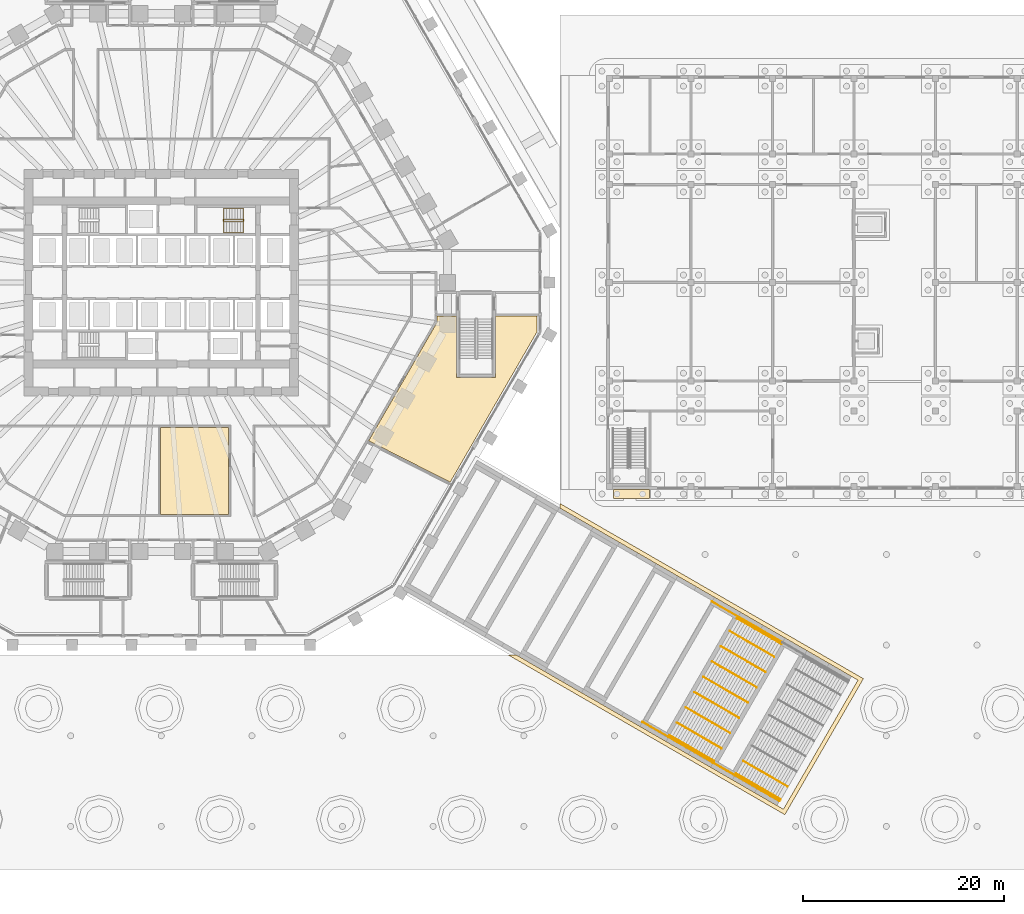
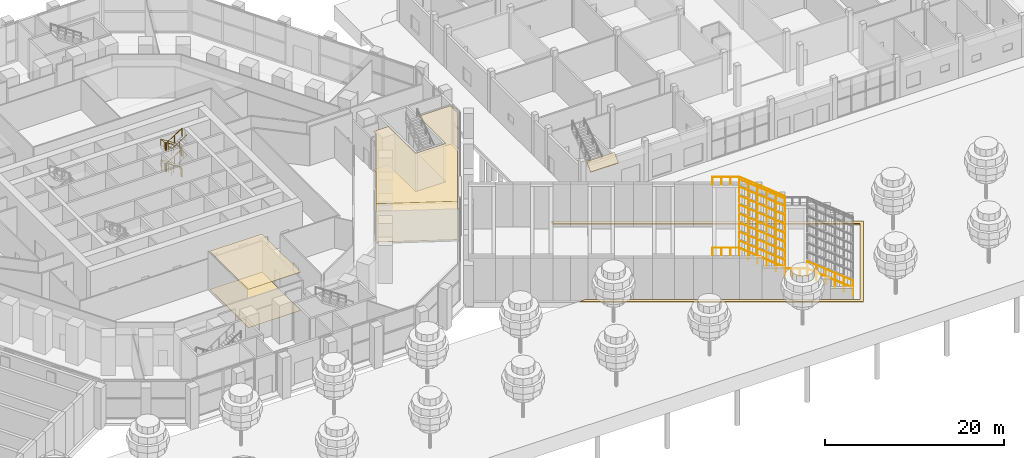
# One storey, part 35 of 44: 19 railings, 6 coverings.
"""IFC4 building model written with IfcOpenShell, lengths in metres."""

from ifc_helpers import new_model, si_unit, direction, frame, origin, origin_2d, place, context, subcontext, project, spatial, polyline, circle, outline, extrude, material, layer, layer_set, type_object, element, save


model = new_model("IFC4")

# Units and contexts
model_context = context("Model", 3, precision=1e-05, world=origin(), true_north=direction((0.0, 1.0)))
body_context = subcontext(model_context, "Body", "Model", "MODEL_VIEW")
ifc_project = project(units=[si_unit("LENGTHUNIT", "METRE"), si_unit("AREAUNIT", "SQUARE_METRE"), si_unit("VOLUMEUNIT", "CUBIC_METRE"), si_unit("PLANEANGLEUNIT", "RADIAN"), si_unit("MASSUNIT", "GRAM", prefix="KILO")], contexts=[model_context])

# Site, building, storey
site_placement = place(None, origin())
site = spatial("IfcSite", under=ifc_project, at=site_placement, CompositionType="ELEMENT")
building_placement = place(site_placement, origin())
building = spatial("IfcBuilding", under=site, at=building_placement, Name="Frailejon Research Tower", CompositionType="ELEMENT")
storey_placement = place(building_placement, origin())
storey = spatial("IfcBuildingStorey", under=building, at=storey_placement, Name="L00", CompositionType="ELEMENT", Elevation=0.0)

# Railings
ifc_material_1 = material(Name="Galvanised steel balustrade", Category="steel")
railing_type_1 = type_object("IfcRailingType", Name="Broad stair guard 1100", PredefinedType="GUARDRAIL", material=ifc_material_1)
railing_1_placement = place(storey_placement, frame((47.78271484375, -43.6376953125, 5.60009765625)))
element("IfcRailing", 1, at=railing_1_placement, inside=storey, type_object=railing_type_1, Name="Broad stair E1 landing guard", PredefinedType="GUARDRAIL", context=body_context, shape_type="SweptSolid", body=[
    extrude(circle(Radius=0.02392578125, at=origin_2d()), frame((0.0, 0.0, 1.076171875), z_axis=(0.866031096941, -0.499990139034, 0.0), x_axis=(0.499990139034, 0.866031096941, 0.0)), (0.0, 0.0, 1.0), 3.0),
    extrude(circle(Radius=0.02099609375, at=origin_2d()), origin(), (0.0, 0.0, 1.0), 1.052001953125),
    extrude(circle(Radius=0.02099609375, at=origin_2d()), frame((0.865966796875, -0.5, 0.0)), (0.0, 0.0, 1.0), 1.052001953125),
    extrude(circle(Radius=0.02099609375, at=origin_2d()), frame((1.732177734375, -1.0, 0.0)), (0.0, 0.0, 1.0), 1.052001953125),
    extrude(circle(Radius=0.02099609375, at=origin_2d()), frame((2.59814453125, -1.5, 0.0)), (0.0, 0.0, 1.0), 1.052001953125),
])
railing_2_placement = place(storey_placement, frame((54.797607421875, -47.687744140625, 2.800048828125)))
element("IfcRailing", 2, at=railing_2_placement, inside=storey, type_object=railing_type_1, Name="Broad stair E1 landing guard", PredefinedType="GUARDRAIL", context=body_context, shape_type="SweptSolid", body=[
    extrude(circle(Radius=0.02392578125, at=origin_2d()), frame((0.0, 0.0, 1.076171875), z_axis=(0.866022959057, -0.500004234368, 0.0), x_axis=(0.500004234368, 0.866022959057, 0.0)), (0.0, 0.0, 1.0), 2.5),
    extrude(circle(Radius=0.02099609375, at=origin_2d()), origin(), (0.0, 0.0, 1.0), 1.052001953125),
    extrude(circle(Radius=0.02099609375, at=origin_2d()), frame((0.7216796875, -0.416748046875, 0.0)), (0.0, 0.0, 1.0), 1.052001953125),
    extrude(circle(Radius=0.02099609375, at=origin_2d()), frame((1.443359375, -0.833251953125, 0.0)), (0.0, 0.0, 1.0), 1.052001953125),
    extrude(circle(Radius=0.02099609375, at=origin_2d()), frame((2.1650390625, -1.25, 0.0)), (0.0, 0.0, 1.0), 1.052001953125),
])
railing_3_placement = place(storey_placement, frame((54.682861328125, -31.6865234375, 5.60009765625)))
element("IfcRailing", 3, at=railing_3_placement, inside=storey, type_object=railing_type_1, Name="Broad stair E1 landing guard", PredefinedType="GUARDRAIL", context=body_context, shape_type="SweptSolid", body=[
    extrude(circle(Radius=0.02392578125, at=origin_2d()), frame((0.0, 0.0, 1.076171875), z_axis=(0.866031096941, -0.499990139034, 0.0), x_axis=(0.499990139034, 0.866031096941, 0.0)), (0.0, 0.0, 1.0), 3.0),
    extrude(circle(Radius=0.02099609375, at=origin_2d()), origin(), (0.0, 0.0, 1.0), 1.052001953125),
    extrude(circle(Radius=0.02099609375, at=origin_2d()), frame((0.865966796875, -0.5, 0.0)), (0.0, 0.0, 1.0), 1.052001953125),
    extrude(circle(Radius=0.02099609375, at=origin_2d()), frame((1.732177734375, -1.0, 0.0)), (0.0, 0.0, 1.0), 1.052001953125),
    extrude(circle(Radius=0.02099609375, at=origin_2d()), frame((2.59814453125, -1.5, 0.0)), (0.0, 0.0, 1.0), 1.052001953125),
])
for number, where, name in (
    (4, (54.797607421875, -47.687744140625, 2.95556640625), "Broad stair E1 flight guard"),
    (5, (61.37939453125, -51.48779296875, 0.155517578125), "Broad stair E1 flight guard"),
):
    element("IfcRailing", number, at=place(storey_placement, frame(where)), inside=storey, type_object=railing_type_1, Name=name, PredefinedType="GUARDRAIL", context=body_context, shape_type="SweptSolid", body=[
        extrude(circle(Radius=0.02392578125, at=origin_2d()), frame((0.0, 0.0, 1.076171875), z_axis=(-0.768811044506, 0.443879904918, 0.46032619723), x_axis=(-0.500005610874, -0.86602216432, 0.0)), (0.0, 0.0, 1.0), 5.744873046875),
        extrude(circle(Radius=0.02099609375, at=origin_2d()), origin(), (0.0, 0.0, 1.0), 1.052001953125),
        extrude(circle(Radius=0.02099609375, at=origin_2d()), frame((-0.88330078125, 0.510009765625, 0.52880859375)), (0.0, 0.0, 1.0), 1.052001953125),
        extrude(circle(Radius=0.02099609375, at=origin_2d()), frame((-1.7666015625, 1.02001953125, 1.057861328125)), (0.0, 0.0, 1.0), 1.052001953125),
        extrude(circle(Radius=0.02099609375, at=origin_2d()), frame((-2.650146484375, 1.530029296875, 1.586669921875)), (0.0, 0.0, 1.0), 1.052001953125),
        extrude(circle(Radius=0.02099609375, at=origin_2d()), frame((-3.533447265625, 2.0400390625, 2.11572265625)), (0.0, 0.0, 1.0), 1.052001953125),
        extrude(circle(Radius=0.02099609375, at=origin_2d()), frame((-4.416748046875, 2.550048828125, 2.64453125)), (0.0, 0.0, 1.0), 1.052001953125),
    ])
railing_4_placement = place(storey_placement, frame((61.697509765625, -35.736572265625, 2.95556640625)))
element("IfcRailing", 6, at=railing_4_placement, inside=storey, type_object=railing_type_1, Name="Broad stair E1 flight guard", PredefinedType="GUARDRAIL", context=body_context, shape_type="SweptSolid", body=[
    extrude(circle(Radius=0.02392578125, at=origin_2d()), frame((0.0, 0.0, 1.076171875), z_axis=(-0.768793665423, 0.443894407703, 0.460341237361), x_axis=(-0.500026340207, -0.866010195725, 0.0)), (0.0, 0.0, 1.0), 5.74462890625),
    extrude(circle(Radius=0.02099609375, at=origin_2d()), origin(), (0.0, 0.0, 1.0), 1.052001953125),
    extrude(circle(Radius=0.02099609375, at=origin_2d()), frame((-0.88330078125, 0.510009765625, 0.52880859375)), (0.0, 0.0, 1.0), 1.052001953125),
    extrude(circle(Radius=0.02099609375, at=origin_2d()), frame((-1.7666015625, 1.02001953125, 1.057861328125)), (0.0, 0.0, 1.0), 1.052001953125),
    extrude(circle(Radius=0.02099609375, at=origin_2d()), frame((-2.64990234375, 1.530029296875, 1.586669921875)), (0.0, 0.0, 1.0), 1.052001953125),
    extrude(circle(Radius=0.02099609375, at=origin_2d()), frame((-3.533203125, 2.0400390625, 2.11572265625)), (0.0, 0.0, 1.0), 1.052001953125),
    extrude(circle(Radius=0.02099609375, at=origin_2d()), frame((-4.41650390625, 2.550048828125, 2.64453125)), (0.0, 0.0, 1.0), 1.052001953125),
])
ifc_material_2 = material(Name="Stainless steel handrail", Category="steel")
railing_type_2 = type_object("IfcRailingType", Name="Broad stair handrail", PredefinedType="HANDRAIL", material=ifc_material_2)
railing_5_placement = place(storey_placement, frame((54.897705078125, -47.514404296875, 2.95556640625)))
element("IfcRailing", 7, at=railing_5_placement, inside=storey, type_object=railing_type_2, Name="Broad stair E1 flight handrail", PredefinedType="HANDRAIL", context=body_context, shape_type="SweptSolid", body=[
    extrude(circle(Radius=0.02392578125, at=origin_2d()), frame((0.0, 0.0, 0.8759765625), z_axis=(-0.768825546697, 0.443845780206, 0.460334880428), x_axis=(-0.499969707105, -0.866042892689, 0.0)), (0.0, 0.0, 1.0), 5.744873046875),
    extrude(circle(Radius=0.02099609375, at=origin_2d()), origin(), (0.0, 0.0, 1.0), 0.851806640625),
    extrude(circle(Radius=0.02099609375, at=origin_2d()), frame((-0.88330078125, 0.510009765625, 0.52880859375)), (0.0, 0.0, 1.0), 0.851806640625),
    extrude(circle(Radius=0.02099609375, at=origin_2d()), frame((-1.7666015625, 1.02001953125, 1.057861328125)), (0.0, 0.0, 1.0), 0.851806640625),
    extrude(circle(Radius=0.02099609375, at=origin_2d()), frame((-2.650146484375, 1.52978515625, 1.586669921875)), (0.0, 0.0, 1.0), 0.851806640625),
    extrude(circle(Radius=0.02099609375, at=origin_2d()), frame((-3.533447265625, 2.039794921875, 2.11572265625)), (0.0, 0.0, 1.0), 0.851806640625),
    extrude(circle(Radius=0.02099609375, at=origin_2d()), frame((-4.416748046875, 2.5498046875, 2.64453125)), (0.0, 0.0, 1.0), 0.851806640625),
])
for number, where, name in (
    (8, (61.4794921875, -51.314453125, 0.155517578125), "Broad stair E1 flight handrail"),
    (9, (55.62255859375, -46.2587890625, 2.95556640625), "Broad stair E1 flight handrail"),
    (10, (62.204345703125, -50.058837890625, 0.155517578125), "Broad stair E1 flight handrail"),
    (11, (56.49755859375, -44.743408203125, 2.95556640625), "Broad stair E1 flight handrail"),
    (12, (57.37255859375, -43.227783203125, 2.95556640625), "Broad stair E1 flight handrail"),
    (13, (58.24755859375, -41.712158203125, 2.95556640625), "Broad stair E1 flight handrail"),
    (14, (59.12255859375, -40.196533203125, 2.95556640625), "Broad stair E1 flight handrail"),
    (15, (59.99755859375, -38.68115234375, 2.95556640625), "Broad stair E1 flight handrail"),
    (16, (60.87255859375, -37.16552734375, 2.95556640625), "Broad stair E1 flight handrail"),
    (17, (61.59765625, -35.909912109375, 2.95556640625), "Broad stair E1 flight handrail"),
):
    element("IfcRailing", number, at=place(storey_placement, frame(where)), inside=storey, type_object=railing_type_2, Name=name, PredefinedType="HANDRAIL", context=body_context, shape_type="SweptSolid", body=[
        extrude(circle(Radius=0.02392578125, at=origin_2d()), frame((0.0, 0.0, 0.8759765625), z_axis=(-0.768811044506, 0.443879904918, 0.46032619723), x_axis=(-0.500005610874, -0.86602216432, 0.0)), (0.0, 0.0, 1.0), 5.744873046875),
        extrude(circle(Radius=0.02099609375, at=origin_2d()), origin(), (0.0, 0.0, 1.0), 0.851806640625),
        extrude(circle(Radius=0.02099609375, at=origin_2d()), frame((-0.88330078125, 0.510009765625, 0.52880859375)), (0.0, 0.0, 1.0), 0.851806640625),
        extrude(circle(Radius=0.02099609375, at=origin_2d()), frame((-1.7666015625, 1.02001953125, 1.057861328125)), (0.0, 0.0, 1.0), 0.851806640625),
        extrude(circle(Radius=0.02099609375, at=origin_2d()), frame((-2.650146484375, 1.530029296875, 1.586669921875)), (0.0, 0.0, 1.0), 0.851806640625),
        extrude(circle(Radius=0.02099609375, at=origin_2d()), frame((-3.533447265625, 2.0400390625, 2.11572265625)), (0.0, 0.0, 1.0), 0.851806640625),
        extrude(circle(Radius=0.02099609375, at=origin_2d()), frame((-4.416748046875, 2.550048828125, 2.64453125)), (0.0, 0.0, 1.0), 0.851806640625),
    ])

# Coverings
ifc_material_3 = material(Name="Precast concrete C50/60", Category="concrete")
ifc_layer_1 = layer(ifc_material_3, 0.06005859375)
ifc_layer_set_1 = layer_set([ifc_layer_1], Name="HC visor depth 900")
covering_type_1 = type_object("IfcCoveringType", Name="HC visor depth 900", PredefinedType="CLADDING", material=ifc_layer_set_1)
covering_1_placement = place(storey_placement, frame((48.5, -20.550048828125, 5.449951171875), z_axis=(-1.0, 0.0, 0.0), x_axis=(0.0, -1.0, 0.0)))
element("IfcCovering", 18, at=covering_1_placement, inside=storey, type_object=covering_type_1, Name="HC visor L00", PredefinedType="CLADDING", context=body_context, shape_type="SweptSolid", body=[
    extrude(outline(polyline([(0.0, -0.0849609375), (0.89990234375, -0.98486328125), (0.89990234375, -0.89990234375), (0.0, 0.0), (0.0, -0.0849609375)])), origin(), (0.0, 0.0, 1.0), 3.60009765625),
])
ifc_material_4 = material(Name="Precast concrete paving C30/37", Category="concrete")
ifc_layer_2 = layer(ifc_material_4, 0.25)
ifc_layer_set_2 = layer_set([ifc_layer_2], Name="Stair foot paving 250")
covering_type_2 = type_object("IfcCoveringType", Name="Stair foot paving 250", PredefinedType="FLOORING", material=ifc_layer_set_2)
covering_2_placement = place(storey_placement, frame((0.0, 0.0, -0.25)))
element("IfcCovering", 19, at=covering_2_placement, inside=storey, type_object=covering_type_2, Name="Stair foot paving", PredefinedType="FLOORING", context=body_context, shape_type="SweptSolid", body=[
    extrude(outline(polyline([(61.92529296875, -52.84228515625), (34.48583984375, -37.0), (35.285888671875, -37.0), (61.77880859375, -52.2958984375), (69.178955078125, -39.478515625), (39.569091796875, -22.38330078125), (39.569091796875, -21.921630859375), (69.725341796875, -39.332275390625), (61.92529296875, -52.84228515625)])), origin(), (0.0, 0.0, 1.0), 0.25),
])

# Railings
ifc_material_5 = material(Name="Stainless steel", Category="steel")
railing_type_3 = type_object("IfcRailingType", Name="Stair guard 1100", PredefinedType="GUARDRAIL", material=ifc_material_5)
railing_6_placement = place(storey_placement, frame((8.199951171875, 6.10009765625, 0.0)))
element("IfcRailing", 20, at=railing_6_placement, inside=storey, type_object=railing_type_3, Name="L00 ST3 stair guard 1", PredefinedType="GUARDRAIL", context=body_context, shape_type="SweptSolid", body=[
    extrude(circle(Radius=0.02392578125, at=origin_2d()), frame((0.0, 0.0, 1.076171875), z_axis=(0.0, 1.0, 0.0), x_axis=(-1.0, 0.0, 0.0)), (0.0, 0.0, 1.0), 0.14990234375),
    extrude(circle(Radius=0.02392578125, at=origin_2d()), frame((0.0, 0.14990234375, 1.076171875), z_axis=(-0.265065253269, 0.265065253269, 0.927081885822), x_axis=(-0.707106781187, -0.707106781187, 0.0)), (0.0, 0.0, 1.0), 0.188720703125),
    extrude(circle(Radius=0.02392578125, at=origin_2d()), frame((-0.050048828125, 0.199951171875, 1.2509765625), z_axis=(-0.848022040916, 0.0, 0.529960959053), x_axis=(0.0, -1.0, 0.0)), (0.0, 0.0, 1.0), 2.311279296875),
    extrude(circle(Radius=0.02392578125, at=origin_2d()), frame((-2.010009765625, 0.199951171875, 2.47607421875), z_axis=(-0.707106781187, -0.707106781187, 0.0), x_axis=(0.707106781187, -0.707106781187, 0.0)), (0.0, 0.0, 1.0), 0.07080078125),
    extrude(circle(Radius=0.02392578125, at=origin_2d()), frame((-2.06005859375, 0.14990234375, 2.47607421875), z_axis=(0.0, -1.0, 0.0), x_axis=(1.0, 0.0, 0.0)), (0.0, 0.0, 1.0), 0.14990234375),
    extrude(circle(Radius=0.02392578125, at=origin_2d()), frame((-2.06005859375, 0.0, 2.47607421875), z_axis=(0.265065253269, -0.265065253269, 0.927081885822), x_axis=(0.707106781187, 0.707106781187, 0.0)), (0.0, 0.0, 1.0), 0.188720703125),
    extrude(circle(Radius=0.02392578125, at=origin_2d()), frame((-2.010009765625, -0.050048828125, 2.65087890625), z_axis=(0.847974566722, 0.0, 0.530036917764), x_axis=(0.0, 1.0, 0.0)), (0.0, 0.0, 1.0), 2.311279296875),
    extrude(circle(Radius=0.02392578125, at=origin_2d()), frame((-0.050048828125, -0.050048828125, 3.8759765625), z_axis=(0.707106781187, 0.707106781187, 0.0), x_axis=(-0.707106781187, 0.707106781187, 0.0)), (0.0, 0.0, 1.0), 0.07080078125),
    extrude(circle(Radius=0.02392578125, at=origin_2d()), frame((0.0, 0.0, 3.8759765625), z_axis=(0.0, 1.0, 0.0), x_axis=(-1.0, 0.0, 0.0)), (0.0, 0.0, 1.0), 0.14990234375),
    extrude(circle(Radius=0.02392578125, at=origin_2d()), frame((0.0, 0.14990234375, 3.8759765625), z_axis=(-0.265065253269, 0.265065253269, 0.927081885822), x_axis=(-0.707106781187, -0.707106781187, 0.0)), (0.0, 0.0, 1.0), 0.188720703125),
    extrude(circle(Radius=0.02392578125, at=origin_2d()), frame((-0.050048828125, 0.199951171875, 4.05126953125), z_axis=(-0.848022040916, 0.0, 0.529960959053), x_axis=(0.0, -1.0, 0.0)), (0.0, 0.0, 1.0), 2.311279296875),
    extrude(circle(Radius=0.02392578125, at=origin_2d()), frame((-2.010009765625, 0.199951171875, 5.27587890625), z_axis=(-0.707106781187, -0.707106781187, 0.0), x_axis=(0.707106781187, -0.707106781187, 0.0)), (0.0, 0.0, 1.0), 0.07080078125),
    extrude(circle(Radius=0.02392578125, at=origin_2d()), frame((-2.06005859375, 0.14990234375, 5.27587890625), z_axis=(0.0, -1.0, 0.0), x_axis=(1.0, 0.0, 0.0)), (0.0, 0.0, 1.0), 0.14990234375),
    extrude(circle(Radius=0.02392578125, at=origin_2d()), frame((-2.06005859375, 0.0, 5.27587890625), z_axis=(0.265065253269, -0.265065253269, 0.927081885822), x_axis=(0.707106781187, 0.707106781187, 0.0)), (0.0, 0.0, 1.0), 0.188720703125),
    extrude(circle(Radius=0.02392578125, at=origin_2d()), frame((-2.010009765625, -0.050048828125, 5.451171875), z_axis=(0.847974566722, 0.0, 0.530036917764), x_axis=(0.0, 1.0, 0.0)), (0.0, 0.0, 1.0), 2.311279296875),
    extrude(circle(Radius=0.02099609375, at=origin_2d()), origin(), (0.0, 0.0, 1.0), 1.052001953125),
    extrude(circle(Radius=0.02099609375, at=origin_2d()), frame((0.0, 0.14990234375, 0.0)), (0.0, 0.0, 1.0), 1.052001953125),
    extrude(circle(Radius=0.02099609375, at=origin_2d()), frame((-0.050048828125, 0.199951171875, 0.175048828125)), (0.0, 0.0, 1.0), 1.052001953125),
    extrude(circle(Radius=0.02099609375, at=origin_2d()), frame((-1.030029296875, 0.199951171875, 0.78759765625)), (0.0, 0.0, 1.0), 1.052001953125),
    extrude(circle(Radius=0.02099609375, at=origin_2d()), frame((-2.010009765625, 0.199951171875, 1.39990234375)), (0.0, 0.0, 1.0), 1.052001953125),
    extrude(circle(Radius=0.02099609375, at=origin_2d()), frame((-2.06005859375, 0.14990234375, 1.39990234375)), (0.0, 0.0, 1.0), 1.052001953125),
    extrude(circle(Radius=0.02099609375, at=origin_2d()), frame((-2.06005859375, 0.0, 1.39990234375)), (0.0, 0.0, 1.0), 1.052001953125),
    extrude(circle(Radius=0.02099609375, at=origin_2d()), frame((-2.010009765625, -0.050048828125, 1.574951171875)), (0.0, 0.0, 1.0), 1.052001953125),
    extrude(circle(Radius=0.02099609375, at=origin_2d()), frame((-1.030029296875, -0.050048828125, 2.1875)), (0.0, 0.0, 1.0), 1.052001953125),
    extrude(circle(Radius=0.02099609375, at=origin_2d()), frame((-0.050048828125, -0.050048828125, 2.800048828125)), (0.0, 0.0, 1.0), 1.052001953125),
    extrude(circle(Radius=0.02099609375, at=origin_2d()), frame((0.0, 0.0, 2.800048828125)), (0.0, 0.0, 1.0), 1.052001953125),
    extrude(circle(Radius=0.02099609375, at=origin_2d()), frame((0.0, 0.14990234375, 2.800048828125)), (0.0, 0.0, 1.0), 1.052001953125),
    extrude(circle(Radius=0.02099609375, at=origin_2d()), frame((-0.050048828125, 0.199951171875, 2.97509765625)), (0.0, 0.0, 1.0), 1.052001953125),
    extrude(circle(Radius=0.02099609375, at=origin_2d()), frame((-1.030029296875, 0.199951171875, 3.58740234375)), (0.0, 0.0, 1.0), 1.052001953125),
    extrude(circle(Radius=0.02099609375, at=origin_2d()), frame((-2.010009765625, 0.199951171875, 4.199951171875)), (0.0, 0.0, 1.0), 1.052001953125),
    extrude(circle(Radius=0.02099609375, at=origin_2d()), frame((-2.06005859375, 0.14990234375, 4.199951171875)), (0.0, 0.0, 1.0), 1.052001953125),
    extrude(circle(Radius=0.02099609375, at=origin_2d()), frame((-2.06005859375, 0.0, 4.199951171875)), (0.0, 0.0, 1.0), 1.052001953125),
    extrude(circle(Radius=0.02099609375, at=origin_2d()), frame((-2.010009765625, -0.050048828125, 4.375)), (0.0, 0.0, 1.0), 1.052001953125),
    extrude(circle(Radius=0.02099609375, at=origin_2d()), frame((-1.030029296875, -0.050048828125, 4.987548828125)), (0.0, 0.0, 1.0), 1.052001953125),
    extrude(circle(Radius=0.02099609375, at=origin_2d()), frame((-0.050048828125, -0.050048828125, 5.60009765625)), (0.0, 0.0, 1.0), 1.052001953125),
])
ifc_material_6 = material(Name="Stainless steel", Category="steel")
railing_type_4 = type_object("IfcRailingType", Name="Stair handrail 900", PredefinedType="HANDRAIL", material=ifc_material_6)
railing_7_placement = place(storey_placement, frame((8.14990234375, 7.39990234375, 0.175048828125)))
element("IfcRailing", 21, at=railing_7_placement, inside=storey, type_object=railing_type_4, Name="L00 ST3 stair handrail 1", PredefinedType="HANDRAIL", context=body_context, shape_type="SweptSolid", body=[
    extrude(circle(Radius=0.02392578125, at=origin_2d()), frame((0.0, 0.0, 0.8759765625), z_axis=(-0.848022040916, 0.0, 0.529960959053), x_axis=(0.0, -1.0, 0.0)), (0.0, 0.0, 1.0), 2.311279296875),
    extrude(circle(Radius=0.02392578125, at=origin_2d()), frame((-1.9599609375, 0.0, 2.1005859375), z_axis=(0.0, -0.997457185933, 0.071268241387), x_axis=(1.0, 0.0, 0.0)), (0.0, 0.0, 1.0), 2.456298828125),
    extrude(circle(Radius=0.02392578125, at=origin_2d()), frame((-1.9599609375, -2.449951171875, 2.27587890625), z_axis=(0.847974566722, 0.0, 0.530036917764), x_axis=(0.0, 1.0, 0.0)), (0.0, 0.0, 1.0), 2.311279296875),
    extrude(circle(Radius=0.02392578125, at=origin_2d()), frame((0.0, -2.449951171875, 3.5009765625), z_axis=(0.0, 0.997457185933, 0.071268241387), x_axis=(-1.0, 0.0, 0.0)), (0.0, 0.0, 1.0), 2.456298828125),
    extrude(circle(Radius=0.02392578125, at=origin_2d()), frame((0.0, 0.0, 3.67578125), z_axis=(-0.848022040916, 0.0, 0.529960959053), x_axis=(0.0, -1.0, 0.0)), (0.0, 0.0, 1.0), 2.311279296875),
    extrude(circle(Radius=0.02392578125, at=origin_2d()), frame((-1.9599609375, 0.0, 4.90087890625), z_axis=(0.0, -0.997457185933, 0.071268241387), x_axis=(1.0, 0.0, 0.0)), (0.0, 0.0, 1.0), 2.456298828125),
    extrude(circle(Radius=0.02392578125, at=origin_2d()), frame((-1.9599609375, -2.449951171875, 5.07568359375), z_axis=(0.847974566722, 0.0, 0.530036917764), x_axis=(0.0, 1.0, 0.0)), (0.0, 0.0, 1.0), 2.311279296875),
    extrude(circle(Radius=0.02099609375, at=origin_2d()), origin(), (0.0, 0.0, 1.0), 0.851806640625),
    extrude(circle(Radius=0.02099609375, at=origin_2d()), frame((-0.97998046875, 0.0, 0.6123046875)), (0.0, 0.0, 1.0), 0.851806640625),
    extrude(circle(Radius=0.02099609375, at=origin_2d()), frame((-1.9599609375, 0.0, 1.224853515625)), (0.0, 0.0, 1.0), 0.851806640625),
    extrude(circle(Radius=0.02099609375, at=origin_2d()), frame((-1.9599609375, -0.816650390625, 1.283203125)), (0.0, 0.0, 1.0), 0.851806640625),
    extrude(circle(Radius=0.02099609375, at=origin_2d()), frame((-1.9599609375, -1.63330078125, 1.341552734375)), (0.0, 0.0, 1.0), 0.851806640625),
    extrude(circle(Radius=0.02099609375, at=origin_2d()), frame((-1.9599609375, -2.449951171875, 1.39990234375)), (0.0, 0.0, 1.0), 0.851806640625),
    extrude(circle(Radius=0.02099609375, at=origin_2d()), frame((-0.97998046875, -2.449951171875, 2.012451171875)), (0.0, 0.0, 1.0), 0.851806640625),
    extrude(circle(Radius=0.02099609375, at=origin_2d()), frame((0.0, -2.449951171875, 2.625)), (0.0, 0.0, 1.0), 0.851806640625),
    extrude(circle(Radius=0.02099609375, at=origin_2d()), frame((0.0, -1.63330078125, 2.683349609375)), (0.0, 0.0, 1.0), 0.851806640625),
    extrude(circle(Radius=0.02099609375, at=origin_2d()), frame((0.0, -0.816650390625, 2.74169921875)), (0.0, 0.0, 1.0), 0.851806640625),
    extrude(circle(Radius=0.02099609375, at=origin_2d()), frame((0.0, 0.0, 2.800048828125)), (0.0, 0.0, 1.0), 0.851806640625),
    extrude(circle(Radius=0.02099609375, at=origin_2d()), frame((-0.97998046875, 0.0, 3.41259765625)), (0.0, 0.0, 1.0), 0.851806640625),
    extrude(circle(Radius=0.02099609375, at=origin_2d()), frame((-1.9599609375, 0.0, 4.02490234375)), (0.0, 0.0, 1.0), 0.851806640625),
    extrude(circle(Radius=0.02099609375, at=origin_2d()), frame((-1.9599609375, -0.816650390625, 4.083251953125)), (0.0, 0.0, 1.0), 0.851806640625),
    extrude(circle(Radius=0.02099609375, at=origin_2d()), frame((-1.9599609375, -1.63330078125, 4.1416015625)), (0.0, 0.0, 1.0), 0.851806640625),
    extrude(circle(Radius=0.02099609375, at=origin_2d()), frame((-1.9599609375, -2.449951171875, 4.199951171875)), (0.0, 0.0, 1.0), 0.851806640625),
    extrude(circle(Radius=0.02099609375, at=origin_2d()), frame((-0.97998046875, -2.449951171875, 4.8125)), (0.0, 0.0, 1.0), 0.851806640625),
    extrude(circle(Radius=0.02099609375, at=origin_2d()), frame((0.0, -2.449951171875, 5.425048828125)), (0.0, 0.0, 1.0), 0.851806640625),
])

# Coverings
ifc_material_7 = material(Name="Mineral fibre ceiling board")
ifc_layer_3 = layer(ifc_material_7, 0.0400390625)
ifc_layer_set_3 = layer_set([ifc_layer_3], Name="Suspended ceiling 40")
covering_type_3 = type_object("IfcCoveringType", Name="Suspended ceiling 40", PredefinedType="CEILING", material=ifc_layer_set_3)
covering_3_placement = place(storey_placement, frame((0.0, 0.0, 5.2099609375)))
element("IfcCovering", 22, at=covering_3_placement, inside=storey, type_object=covering_type_3, Name="Ceiling Exhibition hall L00-024", PredefinedType="CEILING", context=body_context, shape_type="SweptSolid", body=[
    extrude(outline(polyline([(-0.071044921875, -23.010009765625), (6.659912109375, -23.010009765625), (6.659912109375, -14.389892578125), (-0.071044921875, -14.389892578125), (-0.071044921875, -23.010009765625)])), origin(), (0.0, 0.0, 1.0), 0.0400390625),
])
covering_4_placement = place(storey_placement, frame((0.0, 0.0, 5.2099609375)))
element("IfcCovering", 23, at=covering_4_placement, inside=storey, type_object=covering_type_3, Name="Ceiling Cafe L00-028", PredefinedType="CEILING", context=body_context, shape_type="SweptSolid", body=[
    extrude(outline(polyline([(27.40283203125, -3.9169921875), (20.593505859375, -15.7109375), (28.69091796875, -19.825927734375), (37.3291015625, -4.864013671875), (37.3291015625, -3.333740234375), (33.202880859375, -3.333740234375), (33.202880859375, -9.40380859375), (29.32275390625, -9.40380859375), (29.32275390625, -3.333740234375), (27.40283203125, -3.333740234375), (27.40283203125, -3.9169921875)])), origin(), (0.0, 0.0, 1.0), 0.0400390625),
])
ifc_material_8 = material(Name="Polished terrazzo")
ifc_layer_4 = layer(ifc_material_8, 0.030029296875)
ifc_layer_set_4 = layer_set([ifc_layer_4], Name="Terrazzo floor finish 30")
covering_type_4 = type_object("IfcCoveringType", Name="Terrazzo floor finish 30", PredefinedType="FLOORING", material=ifc_layer_set_4)
covering_5_placement = place(storey_placement, origin())
element("IfcCovering", 24, at=covering_5_placement, inside=storey, type_object=covering_type_4, Name="Floor finish Exhibition hall L00-024", PredefinedType="FLOORING", context=body_context, shape_type="SweptSolid", body=[
    extrude(outline(polyline([(-0.071044921875, -23.010009765625), (6.659912109375, -23.010009765625), (6.659912109375, -14.389892578125), (-0.071044921875, -14.389892578125), (-0.071044921875, -23.010009765625)])), origin(), (0.0, 0.0, 1.0), 0.030029296875),
])
covering_6_placement = place(storey_placement, origin())
element("IfcCovering", 25, at=covering_6_placement, inside=storey, type_object=covering_type_4, Name="Floor finish Cafe L00-028", PredefinedType="FLOORING", context=body_context, shape_type="SweptSolid", body=[
    extrude(outline(polyline([(27.40283203125, -3.9169921875), (20.593505859375, -15.7109375), (28.69091796875, -19.825927734375), (37.3291015625, -4.864013671875), (37.3291015625, -3.333740234375), (33.202880859375, -3.333740234375), (33.202880859375, -9.40380859375), (29.32275390625, -9.40380859375), (29.32275390625, -3.333740234375), (27.40283203125, -3.333740234375), (27.40283203125, -3.9169921875)])), origin(), (0.0, 0.0, 1.0), 0.030029296875),
])

save(model, "model.ifc")
